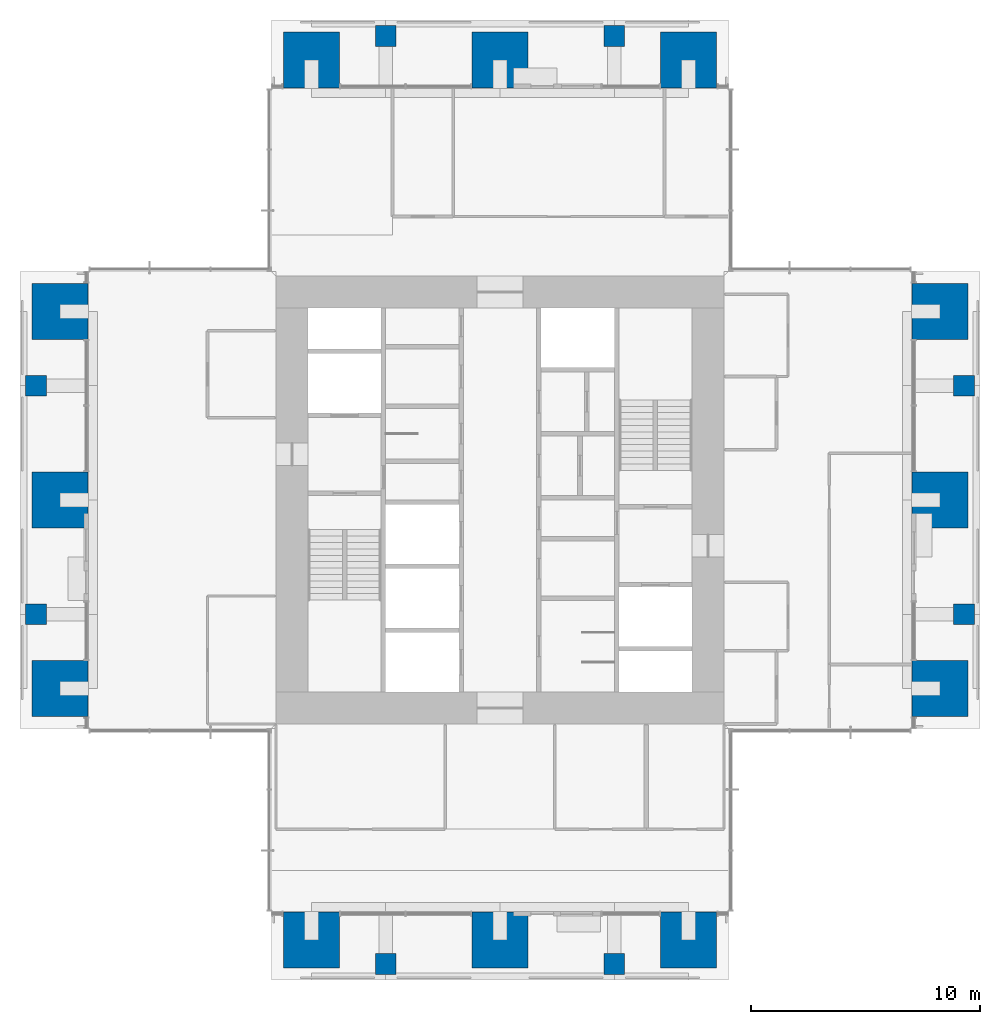
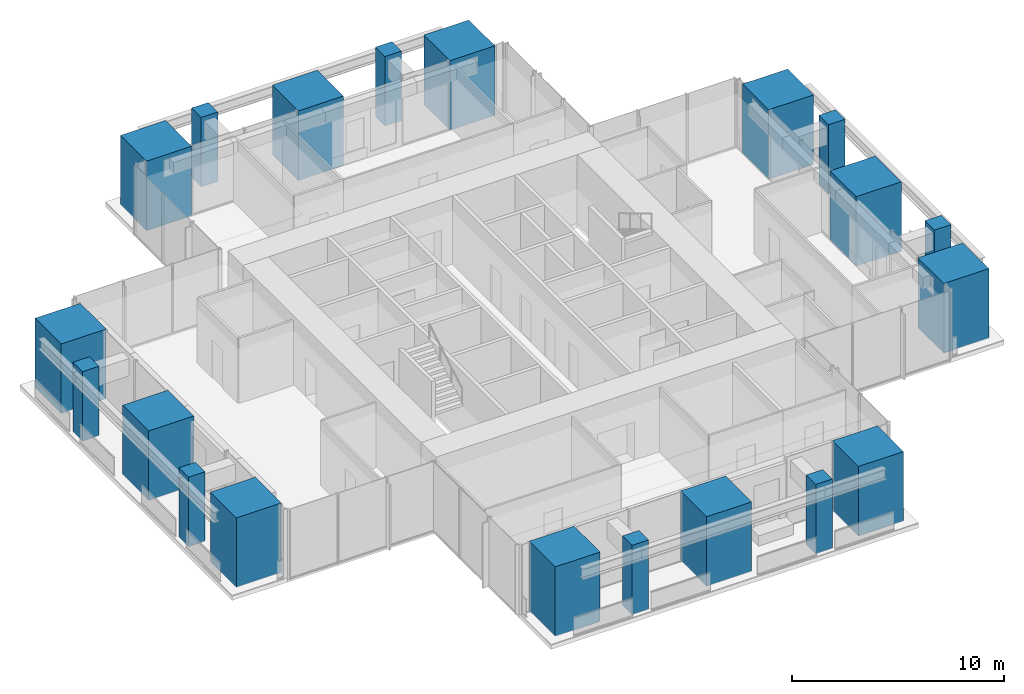
# One storey, part 1 of 17: 20 columns.
"""IFC4 building model written with IfcOpenShell, lengths in metres."""

from ifc_helpers import new_model, si_unit, direction, frame, origin, origin_2d, place, context, subcontext, project, spatial, rectangle, extrude, material, material_profile, profile_set, type_object, element, save


model = new_model("IFC4")

# Units and contexts
model_context = context("Model", 3, precision=1e-05, world=origin(), true_north=direction((0.0, 1.0)))
body_context = subcontext(model_context, "Body", "Model", "MODEL_VIEW")
ifc_project = project(units=[si_unit("LENGTHUNIT", "METRE"), si_unit("AREAUNIT", "SQUARE_METRE"), si_unit("VOLUMEUNIT", "CUBIC_METRE"), si_unit("PLANEANGLEUNIT", "RADIAN"), si_unit("MASSUNIT", "GRAM", prefix="KILO")], contexts=[model_context])

# Site, building, storey
site_placement = place(None, origin())
site = spatial("IfcSite", under=ifc_project, at=site_placement, CompositionType="ELEMENT")
building_placement = place(site_placement, origin())
building = spatial("IfcBuilding", under=site, at=building_placement, Name="Svetlomir Tower", CompositionType="ELEMENT")
storey_placement = place(building_placement, frame((0.0, 0.0, 226.5)))
storey = spatial("IfcBuildingStorey", under=building, at=storey_placement, Name="L54", CompositionType="ELEMENT", Elevation=226.5)

# Columns
ifc_material_1 = material(Name="Concrete C60/75", Category="concrete")
ifc_material_profile_1 = material_profile(ifc_material_1, rectangle(XDim=2.449951171875, YDim=2.449951171875, at=origin_2d()), Name="RC 2450x2450")
ifc_profile_set_1 = profile_set([ifc_material_profile_1], Name="Concrete C60/75")
column_type_1 = type_object("IfcColumnType", Name="COLUMN RC 2450x2450", PredefinedType="COLUMN", material=ifc_profile_set_1)
for number, where, z_axis, x_axis, name in (
    (1, (12.75, 1.75, 0.0), (0.0, 0.0, 1.0), (1.0, 0.0, 0.0), "Column 11/0 L54"),
    (2, (21.0, 1.75, 0.0), (0.0, 0.0, 1.0), (1.0, 0.0, 0.0), "Column 21/0 L54"),
    (3, (29.25, 1.75, 0.0), (0.0, 0.0, 1.0), (1.0, 0.0, 0.0), "Column 31/0 L54"),
    (4, (1.75, 12.75, 0.0), (0.0, 0.0, 1.0), (1.0, 0.0, 0.0), "Column 0/11 L54"),
    (5, (40.25, 12.75, 0.0), (0.0, 0.0, 1.0), (1.0, 0.0, 0.0), "Column 42/11 L54"),
    (6, (1.75, 21.0, 0.0), (0.0, 0.0, 1.0), (1.0, 0.0, 0.0), "Column 0/21 L54"),
    (7, (40.25, 21.0, 0.0), (0.0, 0.0, 1.0), (1.0, 0.0, 0.0), "Column 42/21 L54"),
    (8, (1.75, 29.25, 0.0), (0.0, 0.0, 1.0), (1.0, 0.0, 0.0), "Column 0/31 L54"),
    (9, (40.25, 29.25, 0.0), (0.0, 0.0, 1.0), (1.0, 0.0, 0.0), "Column 42/31 L54"),
    (10, (12.75, 40.25, 0.0), (0.0, 0.0, 1.0), (1.0, 0.0, 0.0), "Column 11/42 L54"),
    (11, (21.0, 40.25, 0.0), (0.0, 0.0, 1.0), (1.0, 0.0, 0.0), "Column 21/42 L54"),
    (12, (29.25, 40.25, 0.0), (0.0, 0.0, 1.0), (1.0, 0.0, 0.0), "Column 31/42 L54"),
):
    element("IfcColumn", number, at=place(storey_placement, frame(where, z_axis=z_axis, x_axis=x_axis)), inside=storey, type_object=column_type_1, Name=name, PredefinedType="COLUMN", context=body_context, shape_type="SweptSolid", body=[
        extrude(rectangle(XDim=2.449951171875, YDim=2.449951171875, at=origin_2d()), origin(), (0.0, 0.0, 1.0), 4.0),
    ])
ifc_material_2 = material(Name="Concrete C60/75", Category="concrete")
ifc_material_profile_2 = material_profile(ifc_material_2, rectangle(XDim=0.89990234375, YDim=0.89990234375, at=origin_2d()), Name="RC 900x900")
ifc_profile_set_2 = profile_set([ifc_material_profile_2], Name="Concrete C60/75")
column_type_2 = type_object("IfcColumnType", Name="COLUMN RC 900x900", PredefinedType="COLUMN", material=ifc_profile_set_2)
for number, where, z_axis, x_axis, name in (
    (13, (16.0, 0.699951171875, 0.0), (0.0, 0.0, 1.0), (1.0, 0.0, 0.0), "Column 16/0 L54"),
    (14, (26.0, 0.699951171875, 0.0), (0.0, 0.0, 1.0), (1.0, 0.0, 0.0), "Column 26/0 L54"),
    (15, (0.699951171875, 16.0, 0.0), (0.0, 0.0, 1.0), (1.0, 0.0, 0.0), "Column 0/16 L54"),
    (16, (41.300048828125, 16.0, 0.0), (0.0, 0.0, 1.0), (1.0, 0.0, 0.0), "Column 42/16 L54"),
    (17, (0.699951171875, 26.0, 0.0), (0.0, 0.0, 1.0), (1.0, 0.0, 0.0), "Column 0/26 L54"),
    (18, (41.300048828125, 26.0, 0.0), (0.0, 0.0, 1.0), (1.0, 0.0, 0.0), "Column 42/26 L54"),
    (19, (16.0, 41.300048828125, 0.0), (0.0, 0.0, 1.0), (1.0, 0.0, 0.0), "Column 16/42 L54"),
    (20, (26.0, 41.300048828125, 0.0), (0.0, 0.0, 1.0), (1.0, 0.0, 0.0), "Column 26/42 L54"),
):
    element("IfcColumn", number, at=place(storey_placement, frame(where, z_axis=z_axis, x_axis=x_axis)), inside=storey, type_object=column_type_2, Name=name, PredefinedType="COLUMN", context=body_context, shape_type="SweptSolid", body=[
        extrude(rectangle(XDim=0.89990234375, YDim=0.89990234375, at=origin_2d()), origin(), (0.0, 0.0, 1.0), 4.0),
    ])

save(model, "model.ifc")
